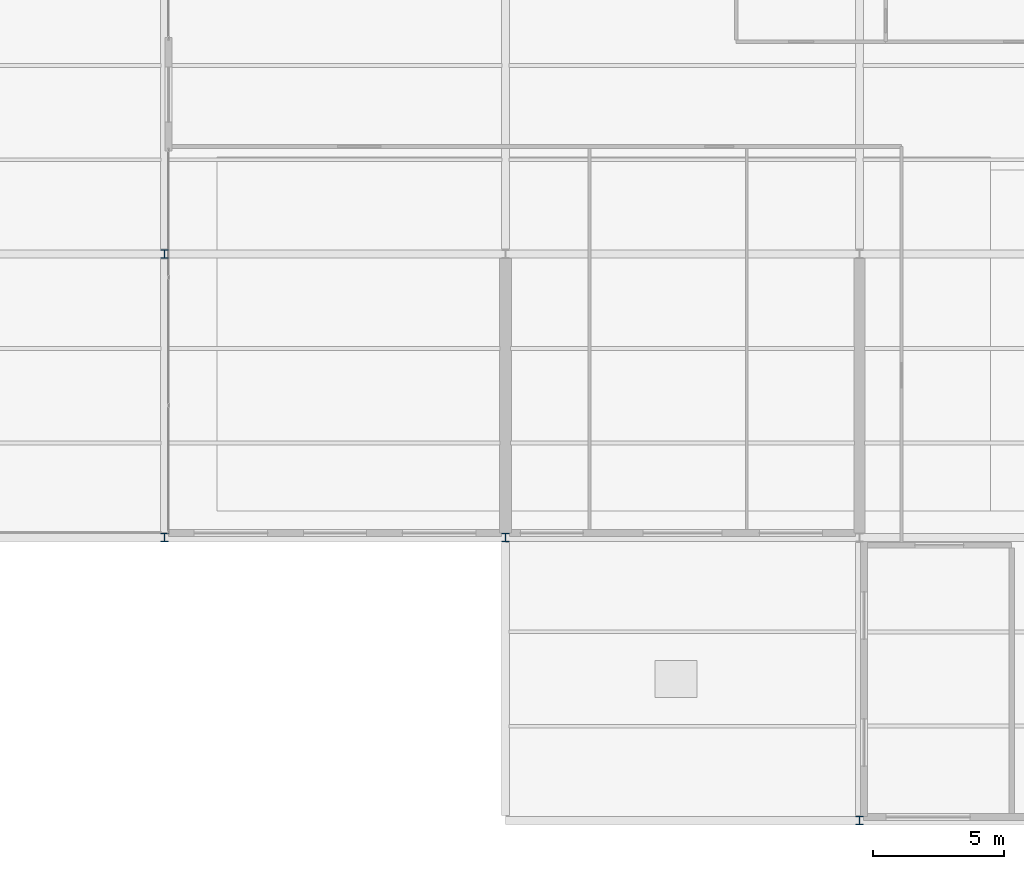
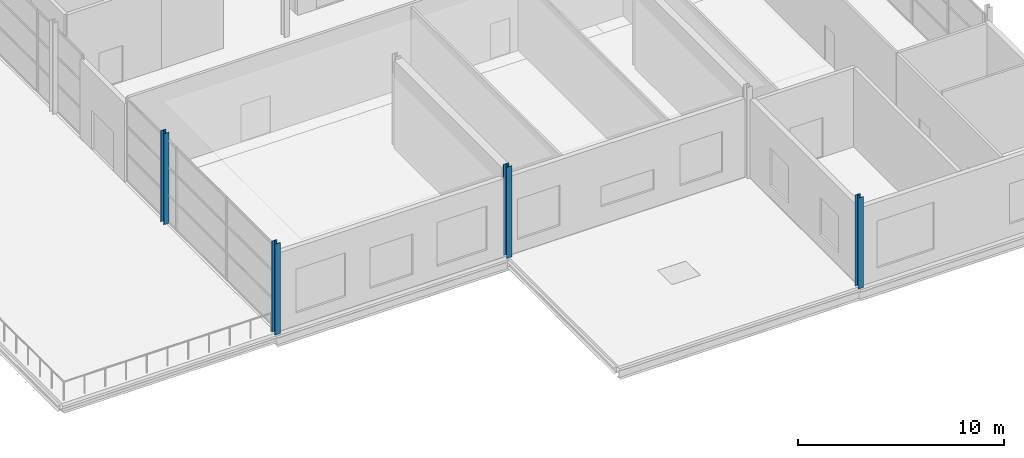
# One storey, part 1 of 34: 4 columns.
"""IFC4 building model written with IfcOpenShell, lengths in metres."""

import ifcopenshell
import ifcopenshell.guid

model = None  # the IFC model being written
_history = None  # IfcOwnerHistory: only IFC2X3 demands one
_inside = {}  # id of a spatial element -> (the spatial element, [elements in it])
_under = {}  # id of a project, library or spatial element -> (it, [spatial elements below it])
_declared = {}  # id of a project -> (the project, [libraries it declares])
_typed = {}  # id of a type object -> (the type object, [elements of that type])
_made_of = {}  # id of a material, layer set ... -> (it, [elements and type objects made of it])


def new_model(schema):
    """Start an empty IFC model of exactly this schema.

    Asked for "IFC4X3", IfcOpenShell would pick the latest addendum, in which some entities
    have other attributes; the version numbers below select the first issue.
    IFC2X3 requires an IfcOwnerHistory on every rooted entity: one is made here for all.
    """
    global model, _history
    if schema == "IFC4X3":
        model = ifcopenshell.file(schema_version=(4, 3, 0, 0))
    else:
        model = ifcopenshell.file(schema=schema)
    _inside.clear()
    _under.clear()
    _declared.clear()
    _typed.clear()
    _made_of.clear()
    _history = None
    if model.schema == "IFC2X3":
        org = make("IfcOrganization", Name="unknown")
        user = make(
            "IfcPersonAndOrganization",
            ThePerson=make("IfcPerson", FamilyName="unknown"),
            TheOrganization=org,
        )
        app = make(
            "IfcApplication",
            ApplicationDeveloper=org,
            Version="unknown",
            ApplicationFullName="unknown",
            ApplicationIdentifier="unknown",
        )
        _history = make(
            "IfcOwnerHistory",
            OwningUser=user,
            OwningApplication=app,
            ChangeAction="ADDED",
            CreationDate=0,
        )
    return model


def make(cls, **values):
    """One entity of the class cls with the attributes given. An attribute that is None is left unset."""
    return model.create_entity(
        cls, **{name: value for name, value in values.items() if value is not None}
    )


def rooted(cls, **values):
    """An entity with a GlobalId (a new one), such as an element, a storey or a relation."""
    return make(cls, GlobalId=ifcopenshell.guid.new(), OwnerHistory=_history, **values)


def si_unit(unit_type, name, prefix=None):
    """IfcSIUnit, for example si_unit("LENGTHUNIT", "METRE", prefix="MILLI")."""
    return make("IfcSIUnit", UnitType=unit_type, Prefix=prefix, Name=name)


def assignment(units):
    """IfcUnitAssignment: the units of a project."""
    return None if units is None else make("IfcUnitAssignment", Units=units)


def point(xyz):
    """IfcCartesianPoint."""
    return None if xyz is None else make("IfcCartesianPoint", Coordinates=xyz)


def direction(xyz):
    """IfcDirection."""
    return None if xyz is None else make("IfcDirection", DirectionRatios=xyz)


def frame(location, z_axis=None, x_axis=None):
    """IfcAxis2Placement3D, a coordinate frame: its origin and axes. An axis left out is left unset."""
    return make(
        "IfcAxis2Placement3D",
        Location=point(location),
        Axis=direction(z_axis),
        RefDirection=direction(x_axis),
    )


def frame_2d(location, x_axis=None):
    """IfcAxis2Placement2D, a coordinate frame in the plane: its origin and x axis."""
    return make(
        "IfcAxis2Placement2D", Location=point(location), RefDirection=direction(x_axis)
    )


def origin():
    """The frame at (0, 0, 0) with its axes left unset."""
    return frame((0.0, 0.0, 0.0))


def origin_2d():
    """The frame at (0, 0) in the plane with its x axis left unset."""
    return frame_2d((0.0, 0.0))


def place(relative_to, where):
    """IfcLocalPlacement: puts the frame where relative to a parent placement (None: the world)."""
    return make(
        "IfcLocalPlacement", PlacementRelTo=relative_to, RelativePlacement=where
    )


def context(
    kind, dimensions, precision=None, world=None, true_north=None, identifier=None
):
    """IfcGeometricRepresentationContext, for example the 3D "Model" context."""
    return make(
        "IfcGeometricRepresentationContext",
        ContextIdentifier=identifier,
        ContextType=kind,
        CoordinateSpaceDimension=dimensions,
        Precision=precision,
        WorldCoordinateSystem=world,
        TrueNorth=true_north,
    )


def subcontext(parent, identifier, kind, view, scale=None):
    """IfcGeometricRepresentationSubContext, for example "Body" below "Model"."""
    return make(
        "IfcGeometricRepresentationSubContext",
        ContextIdentifier=identifier,
        ContextType=kind,
        ParentContext=parent,
        TargetScale=scale,
        TargetView=view,
    )


def project(units=None, contexts=None):
    """IfcProject with its units and contexts."""
    return rooted(
        "IfcProject",
        Name="project",
        RepresentationContexts=contexts,
        UnitsInContext=assignment(units),
    )


def spatial(cls, under=None, at=None, **own):
    """A site, building, storey or space (cls), placed at a placement, below another one or the project."""
    s = rooted(cls, ObjectPlacement=at, **own)
    if under is not None:
        _under.setdefault(under.id(), (under, []))[1].append(s)
    return s


def profile(cls, at=None, kind="AREA", **sizes):
    """A parametric profile (cls). Its sizes go by their IFC names, for example OverallWidth=200.0."""
    return make(cls, ProfileType=kind, Position=at, **sizes)


def i_section(**sizes):
    """IfcIShapeProfileDef."""
    return profile("IfcIShapeProfileDef", **sizes)


def extrude(swept, where, along, depth):
    """IfcExtrudedAreaSolid: the profile swept, set in the frame where, extruded along a direction by depth."""
    return make(
        "IfcExtrudedAreaSolid",
        SweptArea=swept,
        Position=where,
        ExtrudedDirection=direction(along),
        Depth=depth,
    )


def shape(context_of_items, identifier, shape_type, items):
    """IfcShapeRepresentation: the items that make up one representation, for example the "Body"."""
    return make(
        "IfcShapeRepresentation",
        ContextOfItems=context_of_items,
        RepresentationIdentifier=identifier,
        RepresentationType=shape_type,
        Items=items,
    )


def material(Name=None, Category=None):
    """IfcMaterial."""
    return make("IfcMaterial", Name=Name, Category=Category)


def material_profile(
    of_material, cross_section, Name=None, Category=None, Priority=None
):
    """IfcMaterialProfile: a cross section and its material."""
    return make(
        "IfcMaterialProfile",
        Name=Name,
        Material=of_material,
        Profile=cross_section,
        Priority=Priority,
        Category=Category,
    )


def profile_set(profiles, Name=None, composite=None):
    """IfcMaterialProfileSet."""
    return make(
        "IfcMaterialProfileSet",
        Name=Name,
        MaterialProfiles=profiles,
        CompositeProfile=composite,
    )


def made_of(thing, what):
    """Note that an element or type object is made of a material, layer set ...; save() writes the relation."""
    if what is not None:
        _made_of.setdefault(what.id(), (what, []))[1].append(thing)
    return thing


def type_object(cls, material=None, **own):
    """A type object (cls), such as IfcWallType, which elements share."""
    return made_of(rooted(cls, **own), material)


def element(
    cls,
    number,
    at=None,
    inside=None,
    cuts=None,
    type_object=None,
    material=None,
    context=None,
    identifier="Body",
    shape_type=None,
    held_by="IfcProductDefinitionShape",
    body=None,
    shapes=None,
    **own,
):
    """One element of the class cls, such as IfcWall. Its Tag is "e" and its number.

    at: its placement. inside: the storey or other place that contains it. cuts: it is an
    opening in that element (IfcRelVoidsElement). A single representation is given by context,
    identifier, shape_type and body (its items); several are given by shapes. held_by: the class
    of the entity that holds the representations. save() writes the other relations.
    """
    e = rooted(cls, Tag="e%d" % number, ObjectPlacement=at, **own)
    if body is not None:
        shapes = [shape(context, identifier, shape_type, body)]
    if shapes is not None:
        e.Representation = make(held_by, Representations=shapes)
    if inside is not None:
        _inside.setdefault(inside.id(), (inside, []))[1].append(e)
    if cuts is not None:
        rooted(
            "IfcRelVoidsElement", RelatingBuildingElement=cuts, RelatedOpeningElement=e
        )
    if type_object is not None:
        _typed.setdefault(type_object.id(), (type_object, []))[1].append(e)
    return made_of(e, material)


def aggregate(whole, parts):
    """IfcRelAggregates: a whole, such as a stair, and the parts it consists of."""
    return rooted("IfcRelAggregates", RelatingObject=whole, RelatedObjects=parts)


def save(model, path):
    """Write the relations noted so far, then the file.

    IfcRelAggregates (storeys below a building ...), IfcRelContainedInSpatialStructure (elements
    in a storey), IfcRelDefinesByType, IfcRelAssociatesMaterial and IfcRelDeclares: one each for
    every whole, place, type object, material and project.
    """
    for whole, parts in _under.values():
        aggregate(whole, parts)
    for where, things in _inside.values():
        rooted(
            "IfcRelContainedInSpatialStructure",
            RelatedElements=things,
            RelatingStructure=where,
        )
    for kind, things in _typed.values():
        rooted("IfcRelDefinesByType", RelatedObjects=things, RelatingType=kind)
    for what, things in _made_of.values():
        rooted("IfcRelAssociatesMaterial", RelatedObjects=things, RelatingMaterial=what)
    for by, libraries in _declared.values():
        rooted("IfcRelDeclares", RelatingContext=by, RelatedDefinitions=libraries)
    model.write(path)


model = new_model("IFC4")

# Units and contexts
model_context = context("Model", 3, precision=1e-05, world=origin(), true_north=direction((0.0, 1.0)))
body_context = subcontext(model_context, "Body", "Model", "MODEL_VIEW")
ifc_project = project(units=[si_unit("LENGTHUNIT", "METRE"), si_unit("AREAUNIT", "SQUARE_METRE"), si_unit("VOLUMEUNIT", "CUBIC_METRE"), si_unit("PLANEANGLEUNIT", "RADIAN"), si_unit("MASSUNIT", "GRAM", prefix="KILO")], contexts=[model_context])

# Site, building, storey
site_placement = place(None, origin())
site = spatial("IfcSite", under=ifc_project, at=site_placement, CompositionType="ELEMENT")
building_placement = place(site_placement, origin())
building = spatial("IfcBuilding", under=site, at=building_placement, Name="Tamarisk Ironworks Central Station", CompositionType="ELEMENT")
storey_placement = place(building_placement, frame((0.0, 0.0, 25.199951171875)))
storey = spatial("IfcBuildingStorey", under=building, at=storey_placement, Name="L05", CompositionType="ELEMENT", Elevation=25.199951171875)

# Columns
ifc_material = material(Name="Structural steel S355J2", Category="steel")
ifc_material_profile = material_profile(ifc_material, i_section(OverallWidth=0.300048828125, OverallDepth=0.320068359375, WebThickness=0.011474609375, FlangeThickness=0.0205078125, at=origin_2d()), Name="HEB 320")
ifc_profile_set = profile_set([ifc_material_profile], Name="Structural steel S355J2")
column_type = type_object("IfcColumnType", Name="COL-S11", PredefinedType="COLUMN", material=ifc_profile_set)
for number, where, z_axis, x_axis, name in (
    (1, (140.0, 90.0, 0.0), (0.0, 0.0, 1.0), (1.0, 0.0, 0.0), "L05 column V5-17H"),
    (2, (140.0, 100.800048828125, 0.0), (0.0, 0.0, 1.0), (1.0, 0.0, 0.0), "L05 column V5-17J"),
    (3, (153.0, 90.0, 0.0), (0.0, 0.0, 1.0), (1.0, 0.0, 0.0), "L05 column V5-18H"),
    (4, (166.5, 79.199951171875, 0.0), (0.0, 0.0, 1.0), (1.0, 0.0, 0.0), "L05 column V5-19G"),
):
    element("IfcColumn", number, at=place(storey_placement, frame(where, z_axis=z_axis, x_axis=x_axis)), inside=storey, type_object=column_type, Name=name, PredefinedType="COLUMN", context=body_context, shape_type="SweptSolid", body=[
        extrude(i_section(OverallWidth=0.300048828125, OverallDepth=0.320068359375, WebThickness=0.011474609375, FlangeThickness=0.0205078125, at=origin_2d()), origin(), (0.0, 0.0, 1.0), 5.400146484375),
    ])

save(model, "model.ifc")
